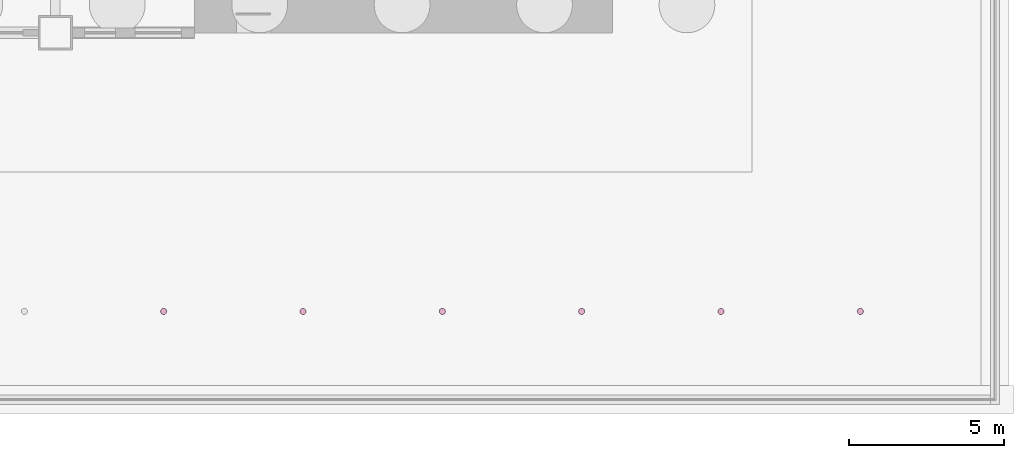
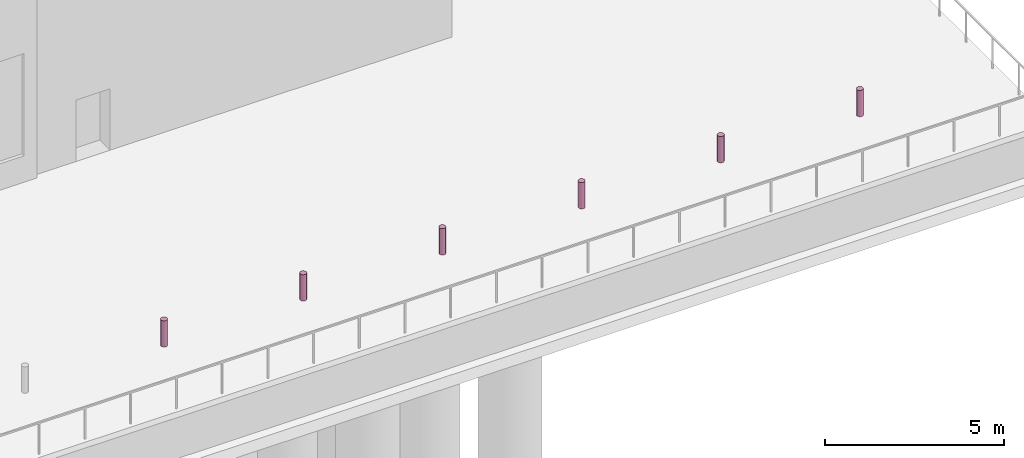
# One storey, part 25 of 26: 6 furniture elements.
"""IFC4 building model written with IfcOpenShell, lengths in metres."""

import ifcopenshell
import ifcopenshell.guid

model = None  # the IFC model being written
_history = None  # IfcOwnerHistory: only IFC2X3 demands one
_inside = {}  # id of a spatial element -> (the spatial element, [elements in it])
_under = {}  # id of a project, library or spatial element -> (it, [spatial elements below it])
_declared = {}  # id of a project -> (the project, [libraries it declares])
_typed = {}  # id of a type object -> (the type object, [elements of that type])
_made_of = {}  # id of a material, layer set ... -> (it, [elements and type objects made of it])


def new_model(schema):
    """Start an empty IFC model of exactly this schema.

    Asked for "IFC4X3", IfcOpenShell would pick the latest addendum, in which some entities
    have other attributes; the version numbers below select the first issue.
    IFC2X3 requires an IfcOwnerHistory on every rooted entity: one is made here for all.
    """
    global model, _history
    if schema == "IFC4X3":
        model = ifcopenshell.file(schema_version=(4, 3, 0, 0))
    else:
        model = ifcopenshell.file(schema=schema)
    _inside.clear()
    _under.clear()
    _declared.clear()
    _typed.clear()
    _made_of.clear()
    _history = None
    if model.schema == "IFC2X3":
        org = make("IfcOrganization", Name="unknown")
        user = make(
            "IfcPersonAndOrganization",
            ThePerson=make("IfcPerson", FamilyName="unknown"),
            TheOrganization=org,
        )
        app = make(
            "IfcApplication",
            ApplicationDeveloper=org,
            Version="unknown",
            ApplicationFullName="unknown",
            ApplicationIdentifier="unknown",
        )
        _history = make(
            "IfcOwnerHistory",
            OwningUser=user,
            OwningApplication=app,
            ChangeAction="ADDED",
            CreationDate=0,
        )
    return model


def make(cls, **values):
    """One entity of the class cls with the attributes given. An attribute that is None is left unset."""
    return model.create_entity(
        cls, **{name: value for name, value in values.items() if value is not None}
    )


def rooted(cls, **values):
    """An entity with a GlobalId (a new one), such as an element, a storey or a relation."""
    return make(cls, GlobalId=ifcopenshell.guid.new(), OwnerHistory=_history, **values)


def si_unit(unit_type, name, prefix=None):
    """IfcSIUnit, for example si_unit("LENGTHUNIT", "METRE", prefix="MILLI")."""
    return make("IfcSIUnit", UnitType=unit_type, Prefix=prefix, Name=name)


def assignment(units):
    """IfcUnitAssignment: the units of a project."""
    return None if units is None else make("IfcUnitAssignment", Units=units)


def point(xyz):
    """IfcCartesianPoint."""
    return None if xyz is None else make("IfcCartesianPoint", Coordinates=xyz)


def direction(xyz):
    """IfcDirection."""
    return None if xyz is None else make("IfcDirection", DirectionRatios=xyz)


def frame(location, z_axis=None, x_axis=None):
    """IfcAxis2Placement3D, a coordinate frame: its origin and axes. An axis left out is left unset."""
    return make(
        "IfcAxis2Placement3D",
        Location=point(location),
        Axis=direction(z_axis),
        RefDirection=direction(x_axis),
    )


def frame_2d(location, x_axis=None):
    """IfcAxis2Placement2D, a coordinate frame in the plane: its origin and x axis."""
    return make(
        "IfcAxis2Placement2D", Location=point(location), RefDirection=direction(x_axis)
    )


def origin():
    """The frame at (0, 0, 0) with its axes left unset."""
    return frame((0.0, 0.0, 0.0))


def origin_2d():
    """The frame at (0, 0) in the plane with its x axis left unset."""
    return frame_2d((0.0, 0.0))


def place(relative_to, where):
    """IfcLocalPlacement: puts the frame where relative to a parent placement (None: the world)."""
    return make(
        "IfcLocalPlacement", PlacementRelTo=relative_to, RelativePlacement=where
    )


def context(
    kind, dimensions, precision=None, world=None, true_north=None, identifier=None
):
    """IfcGeometricRepresentationContext, for example the 3D "Model" context."""
    return make(
        "IfcGeometricRepresentationContext",
        ContextIdentifier=identifier,
        ContextType=kind,
        CoordinateSpaceDimension=dimensions,
        Precision=precision,
        WorldCoordinateSystem=world,
        TrueNorth=true_north,
    )


def subcontext(parent, identifier, kind, view, scale=None):
    """IfcGeometricRepresentationSubContext, for example "Body" below "Model"."""
    return make(
        "IfcGeometricRepresentationSubContext",
        ContextIdentifier=identifier,
        ContextType=kind,
        ParentContext=parent,
        TargetScale=scale,
        TargetView=view,
    )


def project(units=None, contexts=None):
    """IfcProject with its units and contexts."""
    return rooted(
        "IfcProject",
        Name="project",
        RepresentationContexts=contexts,
        UnitsInContext=assignment(units),
    )


def spatial(cls, under=None, at=None, **own):
    """A site, building, storey or space (cls), placed at a placement, below another one or the project."""
    s = rooted(cls, ObjectPlacement=at, **own)
    if under is not None:
        _under.setdefault(under.id(), (under, []))[1].append(s)
    return s


def profile(cls, at=None, kind="AREA", **sizes):
    """A parametric profile (cls). Its sizes go by their IFC names, for example OverallWidth=200.0."""
    return make(cls, ProfileType=kind, Position=at, **sizes)


def circle(**sizes):
    """IfcCircleProfileDef."""
    return profile("IfcCircleProfileDef", **sizes)


def extrude(swept, where, along, depth):
    """IfcExtrudedAreaSolid: the profile swept, set in the frame where, extruded along a direction by depth."""
    return make(
        "IfcExtrudedAreaSolid",
        SweptArea=swept,
        Position=where,
        ExtrudedDirection=direction(along),
        Depth=depth,
    )


def shape(context_of_items, identifier, shape_type, items):
    """IfcShapeRepresentation: the items that make up one representation, for example the "Body"."""
    return make(
        "IfcShapeRepresentation",
        ContextOfItems=context_of_items,
        RepresentationIdentifier=identifier,
        RepresentationType=shape_type,
        Items=items,
    )


def material(Name=None, Category=None):
    """IfcMaterial."""
    return make("IfcMaterial", Name=Name, Category=Category)


def made_of(thing, what):
    """Note that an element or type object is made of a material, layer set ...; save() writes the relation."""
    if what is not None:
        _made_of.setdefault(what.id(), (what, []))[1].append(thing)
    return thing


def type_object(cls, material=None, **own):
    """A type object (cls), such as IfcWallType, which elements share."""
    return made_of(rooted(cls, **own), material)


def element(
    cls,
    number,
    at=None,
    inside=None,
    cuts=None,
    type_object=None,
    material=None,
    context=None,
    identifier="Body",
    shape_type=None,
    held_by="IfcProductDefinitionShape",
    body=None,
    shapes=None,
    **own,
):
    """One element of the class cls, such as IfcWall. Its Tag is "e" and its number.

    at: its placement. inside: the storey or other place that contains it. cuts: it is an
    opening in that element (IfcRelVoidsElement). A single representation is given by context,
    identifier, shape_type and body (its items); several are given by shapes. held_by: the class
    of the entity that holds the representations. save() writes the other relations.
    """
    e = rooted(cls, Tag="e%d" % number, ObjectPlacement=at, **own)
    if body is not None:
        shapes = [shape(context, identifier, shape_type, body)]
    if shapes is not None:
        e.Representation = make(held_by, Representations=shapes)
    if inside is not None:
        _inside.setdefault(inside.id(), (inside, []))[1].append(e)
    if cuts is not None:
        rooted(
            "IfcRelVoidsElement", RelatingBuildingElement=cuts, RelatedOpeningElement=e
        )
    if type_object is not None:
        _typed.setdefault(type_object.id(), (type_object, []))[1].append(e)
    return made_of(e, material)


def aggregate(whole, parts):
    """IfcRelAggregates: a whole, such as a stair, and the parts it consists of."""
    return rooted("IfcRelAggregates", RelatingObject=whole, RelatedObjects=parts)


def save(model, path):
    """Write the relations noted so far, then the file.

    IfcRelAggregates (storeys below a building ...), IfcRelContainedInSpatialStructure (elements
    in a storey), IfcRelDefinesByType, IfcRelAssociatesMaterial and IfcRelDeclares: one each for
    every whole, place, type object, material and project.
    """
    for whole, parts in _under.values():
        aggregate(whole, parts)
    for where, things in _inside.values():
        rooted(
            "IfcRelContainedInSpatialStructure",
            RelatedElements=things,
            RelatingStructure=where,
        )
    for kind, things in _typed.values():
        rooted("IfcRelDefinesByType", RelatedObjects=things, RelatingType=kind)
    for what, things in _made_of.values():
        rooted("IfcRelAssociatesMaterial", RelatedObjects=things, RelatingMaterial=what)
    for by, libraries in _declared.values():
        rooted("IfcRelDeclares", RelatingContext=by, RelatedDefinitions=libraries)
    model.write(path)


model = new_model("IFC4")

# Units and contexts
model_context = context("Model", 3, precision=1e-05, world=origin(), true_north=direction((0.0, 1.0)))
body_context = subcontext(model_context, "Body", "Model", "MODEL_VIEW")
ifc_project = project(units=[si_unit("LENGTHUNIT", "METRE"), si_unit("AREAUNIT", "SQUARE_METRE"), si_unit("VOLUMEUNIT", "CUBIC_METRE"), si_unit("PLANEANGLEUNIT", "RADIAN"), si_unit("MASSUNIT", "GRAM", prefix="KILO")], contexts=[model_context])

# Site, building, storey
site_placement = place(None, origin())
site = spatial("IfcSite", under=ifc_project, at=site_placement, CompositionType="ELEMENT")
building_placement = place(site_placement, origin())
building = spatial("IfcBuilding", under=site, at=building_placement, Name="Sennacour Bend Tower", CompositionType="ELEMENT")
storey_placement = place(building_placement, origin())
storey = spatial("IfcBuildingStorey", under=building, at=storey_placement, Name="L00", CompositionType="ELEMENT", Elevation=0.0)

# Furniture
ifc_material = material(Name="Stainless steel 316", Category="steel")
furniture_type = type_object("IfcFurnitureType", Name="BL-BOLLARD-200", AssemblyPlace="NOTDEFINED", PredefinedType="USERDEFINED", material=ifc_material)
for number, where, z_axis, x_axis, name in (
    (1, (53.0, -9.0, 0.89990234375), (0.0, 0.0, -1.0), (1.0, 0.0, 0.0), "Bollard"),
    (2, (57.5, -9.0, 0.89990234375), (0.0, 0.0, -1.0), (1.0, 0.0, 0.0), "Bollard"),
    (3, (62.0, -9.0, 0.89990234375), (0.0, 0.0, -1.0), (1.0, 0.0, 0.0), "Bollard"),
    (4, (66.5, -9.0, 0.89990234375), (0.0, 0.0, -1.0), (1.0, 0.0, 0.0), "Bollard"),
    (5, (71.0, -9.0, 0.89990234375), (0.0, 0.0, -1.0), (1.0, 0.0, 0.0), "Bollard"),
    (6, (75.5, -9.0, 0.89990234375), (0.0, 0.0, -1.0), (1.0, 0.0, 0.0), "Bollard"),
):
    element("IfcFurniture", number, at=place(storey_placement, frame(where, z_axis=z_axis, x_axis=x_axis)), inside=storey, type_object=furniture_type, Name=name, ObjectType="BOLLARD", PredefinedType="USERDEFINED", context=body_context, shape_type="SweptSolid", body=[
        extrude(circle(Radius=0.10009765625, at=origin_2d()), origin(), (0.0, 0.0, 1.0), 0.89990234375),
    ])

save(model, "model.ifc")
